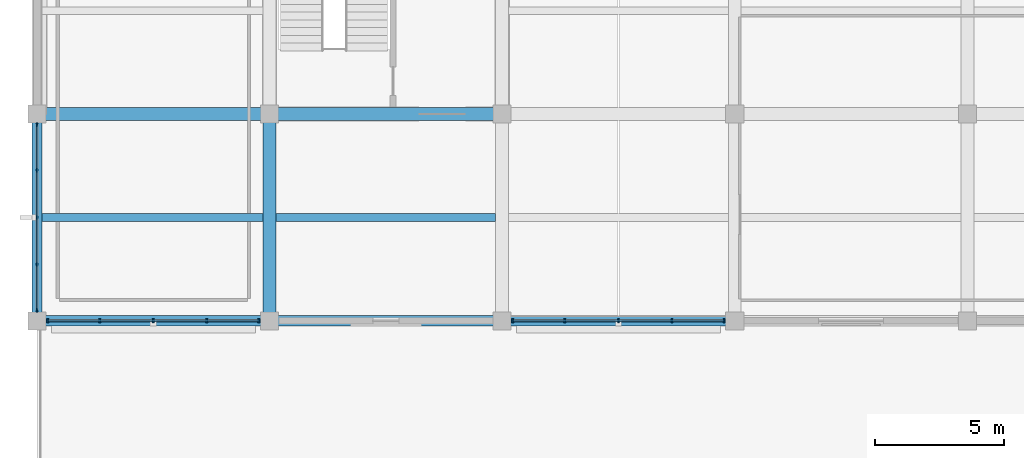
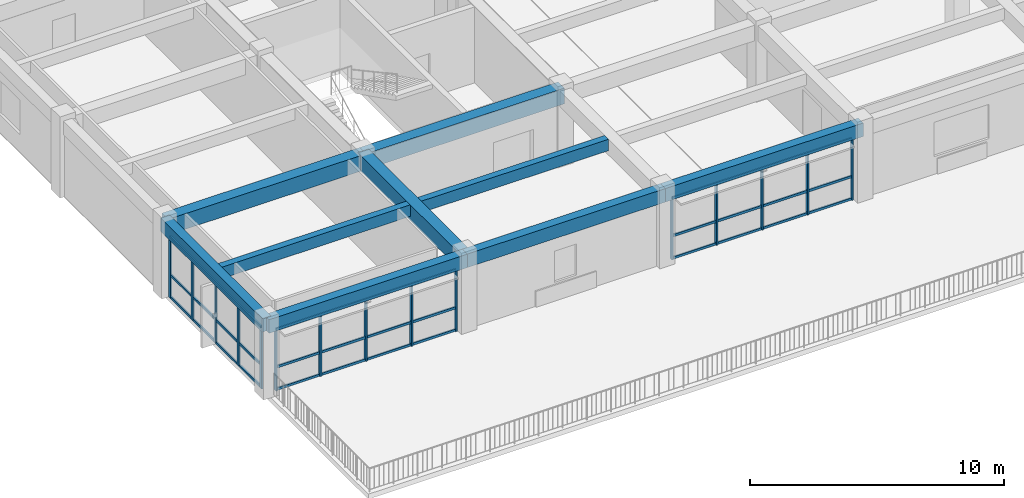
# One storey, part 2 of 14: 24 members, 9 beams, 3 elements without a shape of their own.
"""IFC4 building model written with IfcOpenShell, lengths in metres."""

from ifc_helpers import new_model, si_unit, direction, frame, origin, origin_2d, place, context, subcontext, project, spatial, rectangle, extrude, material, material_profile, profile_set, type_object, element, aggregate, save


model = new_model("IFC4")

# Units and contexts
model_context = context("Model", 3, precision=1e-05, world=origin(), true_north=direction((0.0, 1.0)))
body_context = subcontext(model_context, "Body", "Model", "MODEL_VIEW")
ifc_project = project(units=[si_unit("LENGTHUNIT", "METRE"), si_unit("AREAUNIT", "SQUARE_METRE"), si_unit("VOLUMEUNIT", "CUBIC_METRE"), si_unit("PLANEANGLEUNIT", "RADIAN"), si_unit("MASSUNIT", "GRAM", prefix="KILO")], contexts=[model_context])

# Site, building, storey
site_placement = place(None, origin())
site = spatial("IfcSite", under=ifc_project, at=site_placement, CompositionType="ELEMENT")
building_placement = place(site_placement, origin())
building = spatial("IfcBuilding", under=site, at=building_placement, Name="Zaverband Oceanarium and Marine Research Institute", CompositionType="ELEMENT")
storey_placement = place(building_placement, frame((0.0, 0.0, 57.0)))
storey = spatial("IfcBuildingStorey", under=building, at=storey_placement, Name="L14", CompositionType="ELEMENT", Elevation=57.0)

# Beams
ifc_material_1 = material(Name="Concrete C40/50", Category="concrete")
ifc_material_profile_1 = material_profile(ifc_material_1, rectangle(XDim=0.5, YDim=0.75, at=origin_2d()), Name="RC500x750")
ifc_profile_set_1 = profile_set([ifc_material_profile_1], Name="Concrete C40/50")
beam_type_1 = type_object("IfcBeamType", Name="BM-500x750", PredefinedType="BEAM", material=ifc_profile_set_1)
for number, where, z_axis, x_axis, name in (
    (1, (9.0, 80.0, 3.27490234375), (1.0, 0.0, 0.0), (0.0, 1.0, 0.0), "Primary floor girder BM-500x750"),
    (2, (18.0, 80.0, 3.27490234375), (1.0, 0.0, 0.0), (0.0, 1.0, 0.0), "Primary floor girder BM-500x750"),
):
    element("IfcBeam", number, at=place(storey_placement, frame(where, z_axis=z_axis, x_axis=x_axis)), inside=storey, type_object=beam_type_1, Name=name, PredefinedType="BEAM", context=body_context, shape_type="SweptSolid", body=[
        extrude(rectangle(XDim=0.5, YDim=0.75, at=origin_2d()), origin(), (0.0, 0.0, 1.0), 9.0),
    ])
beam_1_placement = place(storey_placement, frame((18.0, 72.0, 3.27490234375), z_axis=(0.0, 1.0, 0.0), x_axis=(-1.0, 0.0, 0.0)))
element("IfcBeam", 3, at=beam_1_placement, inside=storey, type_object=beam_type_1, Name="Primary floor girder BM-500x750", PredefinedType="BEAM", context=body_context, shape_type="SweptSolid", body=[
    extrude(rectangle(XDim=0.5, YDim=0.75, at=origin_2d()), origin(), (0.0, 0.0, 1.0), 8.0),
])
ifc_material_profile_2 = material_profile(ifc_material_1, rectangle(XDim=0.300048828125, YDim=0.550048828125, at=origin_2d()), Name="RC300x550")
ifc_profile_set_2 = profile_set([ifc_material_profile_2], Name="Concrete C40/50")
beam_type_2 = type_object("IfcBeamType", Name="JST-300x550", PredefinedType="JOIST", material=ifc_profile_set_2)
beam_2_placement = place(storey_placement, frame((9.199951171875, 76.0, 3.375), z_axis=(1.0, 0.0, 0.0), x_axis=(0.0, 1.0, 0.0)))
element("IfcBeam", 4, at=beam_2_placement, inside=storey, type_object=beam_type_2, Name="Secondary floor joist JST-300x550", PredefinedType="JOIST", context=body_context, shape_type="SweptSolid", body=[
    extrude(rectangle(XDim=0.300048828125, YDim=0.550048828125, at=origin_2d()), origin(), (0.0, 0.0, 1.0), 8.550048828125),
])
beam_3_placement = place(storey_placement, frame((18.25, 76.0, 3.375), z_axis=(1.0, 0.0, 0.0), x_axis=(0.0, 1.0, 0.0)))
element("IfcBeam", 5, at=beam_3_placement, inside=storey, type_object=beam_type_2, Name="Secondary floor joist JST-300x550", PredefinedType="JOIST", context=body_context, shape_type="SweptSolid", body=[
    extrude(rectangle(XDim=0.300048828125, YDim=0.550048828125, at=origin_2d()), origin(), (0.0, 0.0, 1.0), 8.5),
])

# Curtain wall, members
ifc_material_2 = material(Name="Thermally broken anodized aluminium and solar-control glass", Category="aluminium")
curtain_wall_type = type_object("IfcCurtainWallType", Name="CW-UNIT-1800", PredefinedType="NOTDEFINED", material=ifc_material_2)
curtain_wall_1_placement = place(storey_placement, origin())
curtain_wall_1 = element("IfcCurtainWall", 6, at=curtain_wall_1_placement, inside=storey, type_object=curtain_wall_type, Name="Unitised glazed curtain wall CW-148", PredefinedType="NOTDEFINED")
ifc_material_3 = material(Name="Thermally broken anodized aluminium", Category="aluminium")
ifc_material_profile_3 = material_profile(ifc_material_3, rectangle(XDim=0.070068359375, YDim=0.14990234375, at=origin_2d()), Name="AL-MUL-70x150")
ifc_profile_set_3 = profile_set([ifc_material_profile_3], Name="Thermally broken anodized aluminium")
member_type_1 = type_object("IfcMemberType", Name="MUL-70x150", PredefinedType="MULLION", material=ifc_profile_set_3)
member_1_placement = place(storey_placement, frame((9.4150390625, 72.0, 0.0), z_axis=(0.0, 0.0, 1.0), x_axis=(1.0, 0.0, 0.0)))
member_1 = element("IfcMember", 7, at=member_1_placement, type_object=member_type_1, Name="Curtain wall vertical mullion MUL-70x150", PredefinedType="MULLION", context=body_context, shape_type="SweptSolid", body=[
    extrude(rectangle(XDim=0.070068359375, YDim=0.14990234375, at=origin_2d()), origin(), (0.0, 0.0, 1.0), 2.97998046875),
])
member_2_placement = place(storey_placement, frame((11.427490234375, 72.0, 0.0), z_axis=(0.0, 0.0, 1.0), x_axis=(1.0, 0.0, 0.0)))
member_2 = element("IfcMember", 8, at=member_2_placement, type_object=member_type_1, Name="Curtain wall vertical mullion MUL-70x150", PredefinedType="MULLION", context=body_context, shape_type="SweptSolid", body=[
    extrude(rectangle(XDim=0.070068359375, YDim=0.14990234375, at=origin_2d()), origin(), (0.0, 0.0, 1.0), 2.97998046875),
])
member_3_placement = place(storey_placement, frame((13.5, 72.0, 0.0), z_axis=(0.0, 0.0, 1.0), x_axis=(1.0, 0.0, 0.0)))
member_3 = element("IfcMember", 9, at=member_3_placement, type_object=member_type_1, Name="Curtain wall vertical mullion MUL-70x150", PredefinedType="MULLION", context=body_context, shape_type="SweptSolid", body=[
    extrude(rectangle(XDim=0.070068359375, YDim=0.14990234375, at=origin_2d()), origin(), (0.0, 0.0, 1.0), 2.97998046875),
])
member_4_placement = place(storey_placement, frame((15.572509765625, 72.0, 0.0), z_axis=(0.0, 0.0, 1.0), x_axis=(1.0, 0.0, 0.0)))
member_4 = element("IfcMember", 10, at=member_4_placement, type_object=member_type_1, Name="Curtain wall vertical mullion MUL-70x150", PredefinedType="MULLION", context=body_context, shape_type="SweptSolid", body=[
    extrude(rectangle(XDim=0.070068359375, YDim=0.14990234375, at=origin_2d()), origin(), (0.0, 0.0, 1.0), 2.97998046875),
])
member_5_placement = place(storey_placement, frame((17.5849609375, 72.0, 0.0), z_axis=(0.0, 0.0, 1.0), x_axis=(1.0, 0.0, 0.0)))
member_5 = element("IfcMember", 11, at=member_5_placement, type_object=member_type_1, Name="Curtain wall vertical mullion MUL-70x150", PredefinedType="MULLION", context=body_context, shape_type="SweptSolid", body=[
    extrude(rectangle(XDim=0.070068359375, YDim=0.14990234375, at=origin_2d()), origin(), (0.0, 0.0, 1.0), 2.97998046875),
])

curtain_wall_2_placement = place(storey_placement, origin())
curtain_wall_2 = element("IfcCurtainWall", 12, at=curtain_wall_2_placement, inside=storey, type_object=curtain_wall_type, Name="Unitised glazed curtain wall CW-149", PredefinedType="NOTDEFINED")
member_6_placement = place(storey_placement, frame((27.4150390625, 72.0, 0.0), z_axis=(0.0, 0.0, 1.0), x_axis=(1.0, 0.0, 0.0)))
member_6 = element("IfcMember", 13, at=member_6_placement, type_object=member_type_1, Name="Curtain wall vertical mullion MUL-70x150", PredefinedType="MULLION", context=body_context, shape_type="SweptSolid", body=[
    extrude(rectangle(XDim=0.070068359375, YDim=0.14990234375, at=origin_2d()), origin(), (0.0, 0.0, 1.0), 2.97998046875),
])
member_7_placement = place(storey_placement, frame((29.427490234375, 72.0, 0.0), z_axis=(0.0, 0.0, 1.0), x_axis=(1.0, 0.0, 0.0)))
member_7 = element("IfcMember", 14, at=member_7_placement, type_object=member_type_1, Name="Curtain wall vertical mullion MUL-70x150", PredefinedType="MULLION", context=body_context, shape_type="SweptSolid", body=[
    extrude(rectangle(XDim=0.070068359375, YDim=0.14990234375, at=origin_2d()), origin(), (0.0, 0.0, 1.0), 2.97998046875),
])
member_8_placement = place(storey_placement, frame((31.5, 72.0, 0.0), z_axis=(0.0, 0.0, 1.0), x_axis=(1.0, 0.0, 0.0)))
member_8 = element("IfcMember", 15, at=member_8_placement, type_object=member_type_1, Name="Curtain wall vertical mullion MUL-70x150", PredefinedType="MULLION", context=body_context, shape_type="SweptSolid", body=[
    extrude(rectangle(XDim=0.070068359375, YDim=0.14990234375, at=origin_2d()), origin(), (0.0, 0.0, 1.0), 2.97998046875),
])
member_9_placement = place(storey_placement, frame((33.572509765625, 72.0, 0.0), z_axis=(0.0, 0.0, 1.0), x_axis=(1.0, 0.0, 0.0)))
member_9 = element("IfcMember", 16, at=member_9_placement, type_object=member_type_1, Name="Curtain wall vertical mullion MUL-70x150", PredefinedType="MULLION", context=body_context, shape_type="SweptSolid", body=[
    extrude(rectangle(XDim=0.070068359375, YDim=0.14990234375, at=origin_2d()), origin(), (0.0, 0.0, 1.0), 2.97998046875),
])
member_10_placement = place(storey_placement, frame((35.5849609375, 72.0, 0.0), z_axis=(0.0, 0.0, 1.0), x_axis=(1.0, 0.0, 0.0)))
member_10 = element("IfcMember", 17, at=member_10_placement, type_object=member_type_1, Name="Curtain wall vertical mullion MUL-70x150", PredefinedType="MULLION", context=body_context, shape_type="SweptSolid", body=[
    extrude(rectangle(XDim=0.070068359375, YDim=0.14990234375, at=origin_2d()), origin(), (0.0, 0.0, 1.0), 2.97998046875),
])

curtain_wall_3_placement = place(storey_placement, origin())
curtain_wall_3 = element("IfcCurtainWall", 18, at=curtain_wall_3_placement, inside=storey, type_object=curtain_wall_type, Name="Unitised glazed curtain wall CW-153", PredefinedType="NOTDEFINED")
member_11_placement = place(storey_placement, frame((9.0, 72.4150390625, 0.0), z_axis=(0.0, 0.0, 1.0), x_axis=(1.0, 0.0, 0.0)))
member_11 = element("IfcMember", 19, at=member_11_placement, type_object=member_type_1, Name="Curtain wall vertical mullion MUL-70x150", PredefinedType="MULLION", context=body_context, shape_type="SweptSolid", body=[
    extrude(rectangle(XDim=0.070068359375, YDim=0.14990234375, at=origin_2d()), origin(), (0.0, 0.0, 1.0), 2.97998046875),
])
member_12_placement = place(storey_placement, frame((9.0, 74.177490234375, 0.0), z_axis=(0.0, 0.0, 1.0), x_axis=(1.0, 0.0, 0.0)))
member_12 = element("IfcMember", 20, at=member_12_placement, type_object=member_type_1, Name="Curtain wall vertical mullion MUL-70x150", PredefinedType="MULLION", context=body_context, shape_type="SweptSolid", body=[
    extrude(rectangle(XDim=0.070068359375, YDim=0.14990234375, at=origin_2d()), origin(), (0.0, 0.0, 1.0), 2.97998046875),
])
member_13_placement = place(storey_placement, frame((9.0, 76.0, 0.0), z_axis=(0.0, 0.0, 1.0), x_axis=(1.0, 0.0, 0.0)))
member_13 = element("IfcMember", 21, at=member_13_placement, type_object=member_type_1, Name="Curtain wall vertical mullion MUL-70x150", PredefinedType="MULLION", context=body_context, shape_type="SweptSolid", body=[
    extrude(rectangle(XDim=0.070068359375, YDim=0.14990234375, at=origin_2d()), origin(), (0.0, 0.0, 1.0), 2.97998046875),
])
member_14_placement = place(storey_placement, frame((9.0, 77.822509765625, 0.0), z_axis=(0.0, 0.0, 1.0), x_axis=(1.0, 0.0, 0.0)))
member_14 = element("IfcMember", 22, at=member_14_placement, type_object=member_type_1, Name="Curtain wall vertical mullion MUL-70x150", PredefinedType="MULLION", context=body_context, shape_type="SweptSolid", body=[
    extrude(rectangle(XDim=0.070068359375, YDim=0.14990234375, at=origin_2d()), origin(), (0.0, 0.0, 1.0), 2.97998046875),
])
member_15_placement = place(storey_placement, frame((9.0, 79.5849609375, 0.0), z_axis=(0.0, 0.0, 1.0), x_axis=(1.0, 0.0, 0.0)))
member_15 = element("IfcMember", 23, at=member_15_placement, type_object=member_type_1, Name="Curtain wall vertical mullion MUL-70x150", PredefinedType="MULLION", context=body_context, shape_type="SweptSolid", body=[
    extrude(rectangle(XDim=0.070068359375, YDim=0.14990234375, at=origin_2d()), origin(), (0.0, 0.0, 1.0), 2.97998046875),
])

# Beams
ifc_material_profile_4 = material_profile(ifc_material_1, rectangle(XDim=0.39990234375, YDim=0.64990234375, at=origin_2d()), Name="RC400x650")
ifc_profile_set_4 = profile_set([ifc_material_profile_4], Name="Concrete C40/50")
beam_type_3 = type_object("IfcBeamType", Name="SPN-400x650", PredefinedType="SPANDREL", material=ifc_profile_set_4)
for number, where, z_axis, x_axis, name in (
    (24, (9.0, 72.0, 3.324951171875), (1.0, 0.0, 0.0), (0.0, 1.0, 0.0), "Perimeter spandrel beam SPN-400x650"),
    (25, (18.0, 72.0, 3.324951171875), (1.0, 0.0, 0.0), (0.0, 1.0, 0.0), "Perimeter spandrel beam SPN-400x650"),
    (26, (27.0, 72.0, 3.324951171875), (1.0, 0.0, 0.0), (0.0, 1.0, 0.0), "Perimeter spandrel beam SPN-400x650"),
):
    element("IfcBeam", number, at=place(storey_placement, frame(where, z_axis=z_axis, x_axis=x_axis)), inside=storey, type_object=beam_type_3, Name=name, PredefinedType="SPANDREL", context=body_context, shape_type="SweptSolid", body=[
        extrude(rectangle(XDim=0.39990234375, YDim=0.64990234375, at=origin_2d()), origin(), (0.0, 0.0, 1.0), 9.0),
    ])
beam_4_placement = place(storey_placement, frame((9.0, 72.0, 3.324951171875), z_axis=(0.0, 1.0, 0.0), x_axis=(-1.0, 0.0, 0.0)))
element("IfcBeam", 27, at=beam_4_placement, inside=storey, type_object=beam_type_3, Name="Perimeter spandrel beam SPN-400x650", PredefinedType="SPANDREL", context=body_context, shape_type="SweptSolid", body=[
    extrude(rectangle(XDim=0.39990234375, YDim=0.64990234375, at=origin_2d()), origin(), (0.0, 0.0, 1.0), 8.0),
])

# Member
ifc_material_profile_5 = material_profile(ifc_material_3, rectangle(XDim=0.070068359375, YDim=0.114990234375, at=origin_2d()), Name="AL-TRN-70x115")
ifc_profile_set_5 = profile_set([ifc_material_profile_5], Name="Thermally broken anodized aluminium")
member_type_2 = type_object("IfcMemberType", Name="TRN-70x115", PredefinedType="USERDEFINED", material=ifc_profile_set_5)
member_16_placement = place(storey_placement, frame((9.4150390625, 72.0, 0.050048828125), z_axis=(1.0, 0.0, 0.0), x_axis=(0.0, 1.0, 0.0)))
member_16 = element("IfcMember", 28, at=member_16_placement, type_object=member_type_2, Name="Curtain wall horizontal transom TRN-70x115", ObjectType="TRANSOM", PredefinedType="USERDEFINED", context=body_context, shape_type="SweptSolid", body=[
    extrude(rectangle(XDim=0.070068359375, YDim=0.114990234375, at=origin_2d()), origin(), (0.0, 0.0, 1.0), 8.169921875),
])

member_17_placement = place(storey_placement, frame((9.4150390625, 72.0, 1.123046875), z_axis=(1.0, 0.0, 0.0), x_axis=(0.0, 1.0, 0.0)))
member_17 = element("IfcMember", 29, at=member_17_placement, type_object=member_type_2, Name="Curtain wall horizontal transom TRN-70x115", ObjectType="TRANSOM", PredefinedType="USERDEFINED", context=body_context, shape_type="SweptSolid", body=[
    extrude(rectangle(XDim=0.070068359375, YDim=0.114990234375, at=origin_2d()), origin(), (0.0, 0.0, 1.0), 8.169921875),
])

member_18_placement = place(storey_placement, frame((9.4150390625, 72.0, 2.929931640625), z_axis=(1.0, 0.0, 0.0), x_axis=(0.0, 1.0, 0.0)))
member_18 = element("IfcMember", 30, at=member_18_placement, type_object=member_type_2, Name="Curtain wall horizontal transom TRN-70x115", ObjectType="TRANSOM", PredefinedType="USERDEFINED", context=body_context, shape_type="SweptSolid", body=[
    extrude(rectangle(XDim=0.070068359375, YDim=0.114990234375, at=origin_2d()), origin(), (0.0, 0.0, 1.0), 8.169921875),
])

aggregate(curtain_wall_1, [member_1, member_2, member_3, member_4, member_5, member_16, member_17, member_18])

member_19_placement = place(storey_placement, frame((27.4150390625, 72.0, 0.050048828125), z_axis=(1.0, 0.0, 0.0), x_axis=(0.0, 1.0, 0.0)))
member_19 = element("IfcMember", 31, at=member_19_placement, type_object=member_type_2, Name="Curtain wall horizontal transom TRN-70x115", ObjectType="TRANSOM", PredefinedType="USERDEFINED", context=body_context, shape_type="SweptSolid", body=[
    extrude(rectangle(XDim=0.070068359375, YDim=0.114990234375, at=origin_2d()), origin(), (0.0, 0.0, 1.0), 8.169921875),
])

member_20_placement = place(storey_placement, frame((27.4150390625, 72.0, 1.123046875), z_axis=(1.0, 0.0, 0.0), x_axis=(0.0, 1.0, 0.0)))
member_20 = element("IfcMember", 32, at=member_20_placement, type_object=member_type_2, Name="Curtain wall horizontal transom TRN-70x115", ObjectType="TRANSOM", PredefinedType="USERDEFINED", context=body_context, shape_type="SweptSolid", body=[
    extrude(rectangle(XDim=0.070068359375, YDim=0.114990234375, at=origin_2d()), origin(), (0.0, 0.0, 1.0), 8.169921875),
])

member_21_placement = place(storey_placement, frame((27.4150390625, 72.0, 2.929931640625), z_axis=(1.0, 0.0, 0.0), x_axis=(0.0, 1.0, 0.0)))
member_21 = element("IfcMember", 33, at=member_21_placement, type_object=member_type_2, Name="Curtain wall horizontal transom TRN-70x115", ObjectType="TRANSOM", PredefinedType="USERDEFINED", context=body_context, shape_type="SweptSolid", body=[
    extrude(rectangle(XDim=0.070068359375, YDim=0.114990234375, at=origin_2d()), origin(), (0.0, 0.0, 1.0), 8.169921875),
])

aggregate(curtain_wall_2, [member_6, member_7, member_8, member_9, member_10, member_19, member_20, member_21])

member_22_placement = place(storey_placement, frame((9.0, 72.4150390625, 0.050048828125), z_axis=(0.0, 1.0, 0.0), x_axis=(-1.0, 0.0, 0.0)))
member_22 = element("IfcMember", 34, at=member_22_placement, type_object=member_type_2, Name="Curtain wall horizontal transom TRN-70x115", ObjectType="TRANSOM", PredefinedType="USERDEFINED", context=body_context, shape_type="SweptSolid", body=[
    extrude(rectangle(XDim=0.070068359375, YDim=0.114990234375, at=origin_2d()), origin(), (0.0, 0.0, 1.0), 7.169921875),
])

member_23_placement = place(storey_placement, frame((9.0, 72.4150390625, 1.123046875), z_axis=(0.0, 1.0, 0.0), x_axis=(-1.0, 0.0, 0.0)))
member_23 = element("IfcMember", 35, at=member_23_placement, type_object=member_type_2, Name="Curtain wall horizontal transom TRN-70x115", ObjectType="TRANSOM", PredefinedType="USERDEFINED", context=body_context, shape_type="SweptSolid", body=[
    extrude(rectangle(XDim=0.070068359375, YDim=0.114990234375, at=origin_2d()), origin(), (0.0, 0.0, 1.0), 7.169921875),
])

member_24_placement = place(storey_placement, frame((9.0, 72.4150390625, 2.929931640625), z_axis=(0.0, 1.0, 0.0), x_axis=(-1.0, 0.0, 0.0)))
member_24 = element("IfcMember", 36, at=member_24_placement, type_object=member_type_2, Name="Curtain wall horizontal transom TRN-70x115", ObjectType="TRANSOM", PredefinedType="USERDEFINED", context=body_context, shape_type="SweptSolid", body=[
    extrude(rectangle(XDim=0.070068359375, YDim=0.114990234375, at=origin_2d()), origin(), (0.0, 0.0, 1.0), 7.169921875),
])

aggregate(curtain_wall_3, [member_11, member_12, member_13, member_14, member_15, member_22, member_23, member_24])

save(model, "model.ifc")
